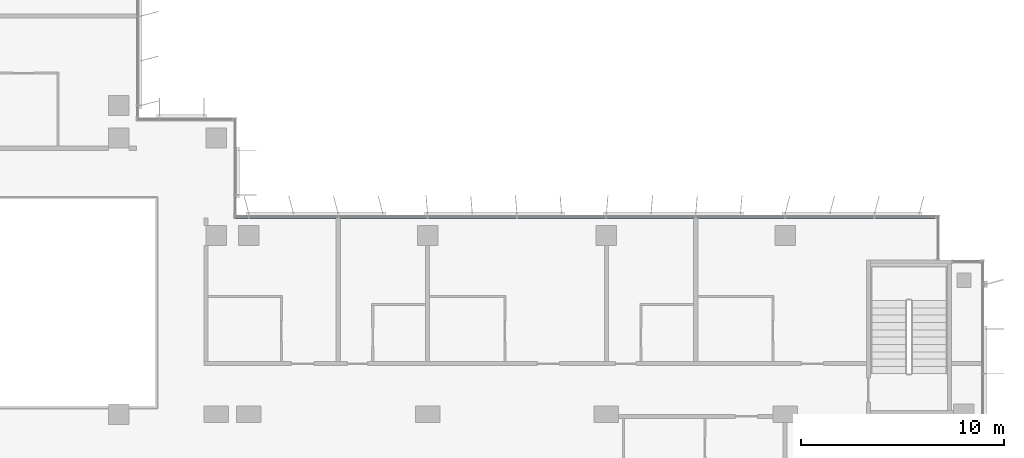
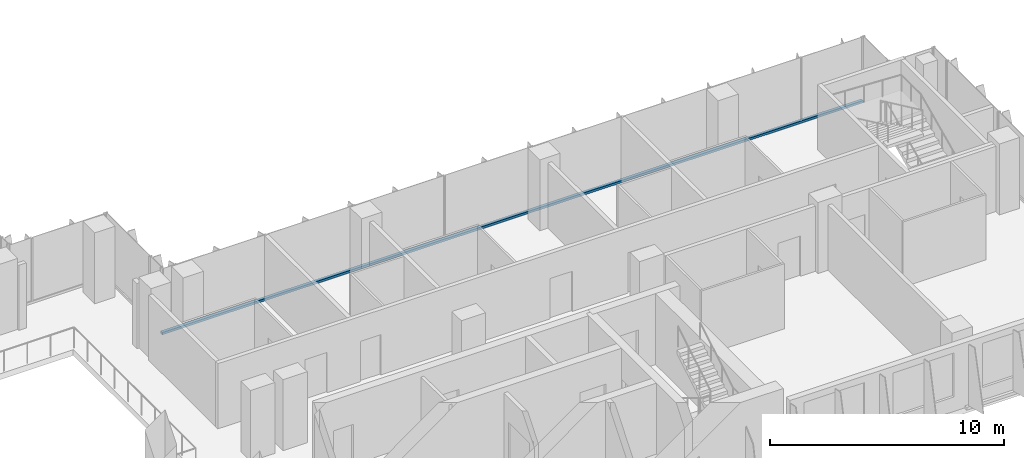
# One storey, part 3 of 21: 1 member, 1 element without a shape of its own.
"""IFC4 building model written with IfcOpenShell, lengths in metres."""

from ifc_helpers import new_model, si_unit, direction, frame, origin, origin_2d, place, context, subcontext, project, spatial, rectangle, extrude, material, material_profile, profile_set, type_object, element, aggregate, save


model = new_model("IFC4")

# Units and contexts
model_context = context("Model", 3, precision=1e-05, world=origin(), true_north=direction((0.0, 1.0)))
body_context = subcontext(model_context, "Body", "Model", "MODEL_VIEW")
ifc_project = project(units=[si_unit("LENGTHUNIT", "METRE"), si_unit("AREAUNIT", "SQUARE_METRE"), si_unit("VOLUMEUNIT", "CUBIC_METRE"), si_unit("PLANEANGLEUNIT", "RADIAN"), si_unit("MASSUNIT", "GRAM", prefix="KILO")], contexts=[model_context])

# Site, building, storey
site_placement = place(None, origin())
site = spatial("IfcSite", under=ifc_project, at=site_placement, CompositionType="ELEMENT")
building_placement = place(site_placement, origin())
building = spatial("IfcBuilding", under=site, at=building_placement, Name="Kemantara Hotel Tower", CompositionType="ELEMENT")
storey_placement = place(building_placement, frame((0.0, 0.0, 160.5)))
storey = spatial("IfcBuildingStorey", under=building, at=storey_placement, Name="L39", CompositionType="ELEMENT", Elevation=160.5)

# Curtain wall, member
ifc_material_1 = material(Name="Low-E tinted double insulated glass 36 mm", Category="glass")
curtain_wall_type = type_object("IfcCurtainWallType", Name="TOWER CURTAIN WALL, FRONT FACES", PredefinedType="USERDEFINED", material=ifc_material_1)
curtain_wall_placement = place(storey_placement, origin())
curtain_wall = element("IfcCurtainWall", 1, at=curtain_wall_placement, inside=storey, type_object=curtain_wall_type, Name="CW4 L39 T3-R14-1", ObjectType="TOWER CURTAIN WALL, FRONT FACES", PredefinedType="USERDEFINED")
ifc_material_2 = material(Name="Aluminium 6063-T6 bronze anodised", Category="aluminium")
ifc_material_profile = material_profile(ifc_material_2, rectangle(XDim=0.14990234375, YDim=0.1201171875, at=origin_2d()), Name="TOWER CURTAIN WALL, FRONT FACES TRANSOM")
ifc_profile_set = profile_set([ifc_material_profile], Name="Aluminium 6063-T6 bronze anodised")
member_type = type_object("IfcMemberType", Name="TOWER CURTAIN WALL, FRONT FACES TRANSOM", PredefinedType="USERDEFINED", material=ifc_profile_set)
member_placement = place(storey_placement, frame((61.25, 21.925048828125, 0.06005859375), z_axis=(-1.0, 0.0, 0.0), x_axis=(0.0, -1.0, 0.0)))
member = element("IfcMember", 2, at=member_placement, type_object=member_type, Name="CW4 sill transom T3-R14-1", ObjectType="TRANSOM", PredefinedType="USERDEFINED", context=body_context, shape_type="SweptSolid", body=[
    extrude(rectangle(XDim=0.14990234375, YDim=0.1201171875, at=origin_2d()), origin(), (0.0, 0.0, 1.0), 34.60009765625),
])
aggregate(curtain_wall, [member])

save(model, "model.ifc")
